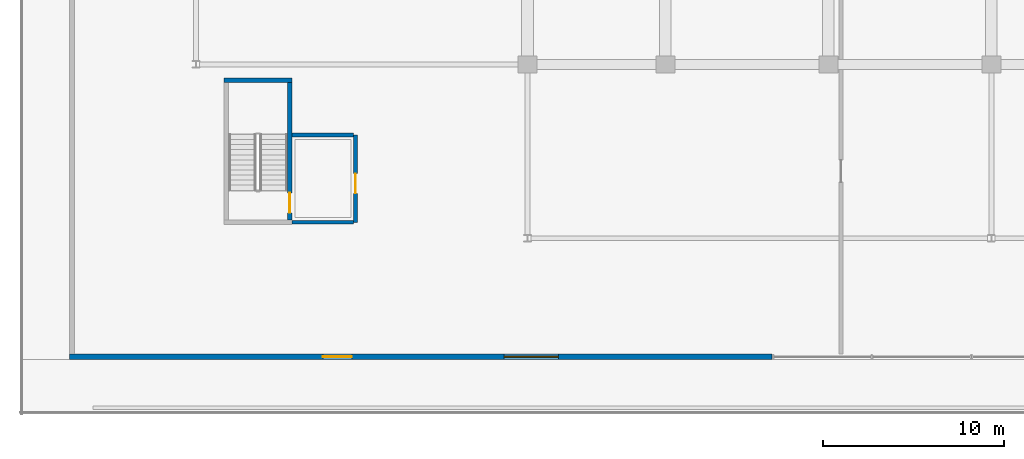
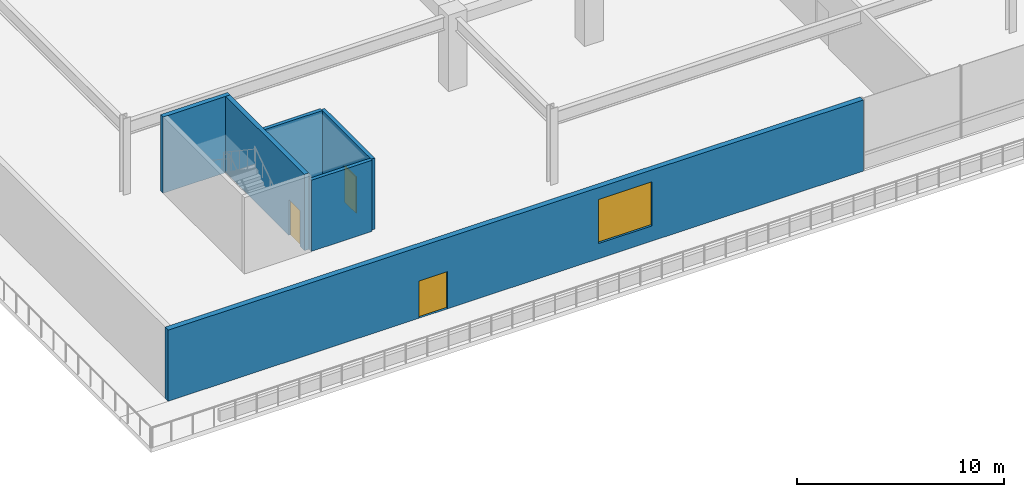
# One storey, part 18 of 43: 6 walls, 3 doors, 1 window, 4 openings.
"""IFC4 building model written with IfcOpenShell, lengths in metres."""

from ifc_helpers import new_model, si_unit, direction, frame, frame_2d, origin, place, context, subcontext, project, spatial, rectangle, extrude, material, layer, layer_set, type_object, element, fill, save


model = new_model("IFC4")

# Units and contexts
model_context = context("Model", 3, precision=1e-05, world=origin(), true_north=direction((0.0, 1.0)))
body_context = subcontext(model_context, "Body", "Model", "MODEL_VIEW")
ifc_project = project(units=[si_unit("LENGTHUNIT", "METRE"), si_unit("AREAUNIT", "SQUARE_METRE"), si_unit("VOLUMEUNIT", "CUBIC_METRE"), si_unit("PLANEANGLEUNIT", "RADIAN"), si_unit("MASSUNIT", "GRAM", prefix="KILO")], contexts=[model_context])

# Site, building, storey
site_placement = place(None, origin())
site = spatial("IfcSite", under=ifc_project, at=site_placement, CompositionType="ELEMENT")
building_placement = place(site_placement, origin())
building = spatial("IfcBuilding", under=site, at=building_placement, Name="Korimba Cascade Residences", CompositionType="ELEMENT")
storey_placement = place(building_placement, frame((0.0, 0.0, 10.0)))
storey = spatial("IfcBuildingStorey", under=building, at=storey_placement, Name="L02", CompositionType="ELEMENT", Elevation=10.0)

# Wall, openings, door, window
ifc_material_1 = material(Name="Precast concrete C40/50", Category="concrete")
ifc_layer_1 = layer(ifc_material_1, 0.300048828125)
ifc_layer_set_1 = layer_set([ifc_layer_1], Name="Precast concrete C40/50")
wall_type_1 = type_object("IfcWallType", Name="EW-STONE-300", PredefinedType="STANDARD", material=ifc_layer_set_1)
wall_1_placement = place(storey_placement, frame((49.199951171875, -20.35009765625, 0.0), z_axis=(0.0, 0.0, 1.0), x_axis=(1.0, 0.0, 0.0)))
wall_1 = element("IfcWall", 1, at=wall_1_placement, inside=storey, type_object=wall_type_1, Name="L02 South-West Podium Wall", PredefinedType="STANDARD", context=body_context, shape_type="SweptSolid", body=[
    extrude(rectangle(XDim=38.800048828125, YDim=0.300048828125, at=frame_2d((19.39990234375, 0.0))), origin(), (0.0, 0.0, 1.0), 4.199951171875),
])
opening_1_placement = place(wall_1_placement, frame((14.0, 0.0, 0.0)))
opening_1 = element("IfcOpeningElement", 2, at=opening_1_placement, cuts=wall_1, Name="Opening D-TR1", PredefinedType="OPENING", context=body_context, shape_type="SweptSolid", body=[
    extrude(rectangle(XDim=1.60009765625, YDim=2.199951171875, at=frame_2d((0.800048828125, 1.10009765625))), frame((0.0, 0.16015625, 0.0), z_axis=(0.0, -1.0, 0.0), x_axis=(1.0, 0.0, 0.0)), (0.0, 0.0, 1.0), 0.320068359375),
])
opening_2_placement = place(wall_1_placement, frame((24.0, 0.0, 0.89990234375)))
opening_2 = element("IfcOpeningElement", 3, at=opening_2_placement, cuts=wall_1, Name="Opening W-04", PredefinedType="OPENING", context=body_context, shape_type="SweptSolid", body=[
    extrude(rectangle(XDim=3.0, YDim=2.60009765625, at=frame_2d((1.5, 1.300048828125))), frame((0.0, 0.16015625, 0.0), z_axis=(0.0, -1.0, 0.0), x_axis=(1.0, 0.0, 0.0)), (0.0, 0.0, 1.0), 0.320068359375),
])
ifc_material_2 = material(Name="Glazed Aluminium Terrace Door", Category="aluminium")
door_type_1 = type_object("IfcDoorType", Name="DR-EXT-TER", OperationType="NOTDEFINED", PredefinedType="DOOR", material=ifc_material_2)
door_1_placement = place(opening_1_placement, frame((1.60009765625, 0.0, 0.0), z_axis=(0.0, 0.0, 1.0), x_axis=(-1.0, 0.0, 0.0)))
door_1 = element("IfcDoor", 4, at=door_1_placement, inside=storey, type_object=door_type_1, Name="L02 South Terrace Access Door", OperationType="DOUBLE_DOOR_SINGLE_SWING", OverallHeight=2.199951171875, OverallWidth=1.60009765625, PredefinedType="DOOR", context=body_context, shape_type="SweptSolid", body=[
    extrude(rectangle(XDim=1.60009765625, YDim=2.199951171875, at=frame_2d((0.800048828125, 1.10009765625))), frame((0.0, 0.02490234375, 0.0), z_axis=(0.0, -1.0, 0.0), x_axis=(1.0, 0.0, 0.0)), (0.0, 0.0, 1.0), 0.050048828125),
])
fill(opening_1, door_1)
ifc_material_3 = material(Name="Double-Glazed Aluminium Window", Category="aluminium")
window_type = type_object("IfcWindowType", Name="WIN-POD-3000", PartitioningType="TRIPLE_PANEL_VERTICAL", PredefinedType="WINDOW", material=ifc_material_3)
window_placement = place(opening_2_placement, origin())
window = element("IfcWindow", 5, at=window_placement, inside=storey, type_object=window_type, Name="L02 South Podium Window", OverallHeight=2.60009765625, OverallWidth=3.0, PartitioningType="TRIPLE_PANEL_VERTICAL", PredefinedType="WINDOW", context=body_context, shape_type="SweptSolid", body=[
    extrude(rectangle(XDim=3.0, YDim=2.60009765625, at=frame_2d((1.5, 1.300048828125))), frame((0.0, 0.030029296875, 0.0), z_axis=(0.0, -1.0, 0.0), x_axis=(1.0, 0.0, 0.0)), (0.0, 0.0, 1.0), 0.06005859375),
])
fill(opening_2, window)

# Wall, opening, door
ifc_material_4 = material(Name="Concrete C40/50", Category="concrete")
ifc_layer_2 = layer(ifc_material_4, 0.199951171875)
ifc_layer_set_2 = layer_set([ifc_layer_2], Name="Concrete C40/50")
wall_type_2 = type_object("IfcWallType", Name="WAL-PART-200", PredefinedType="PARTITIONING", material=ifc_layer_set_2)
wall_2_placement = place(storey_placement, frame((65.0, -12.925048828125, 0.0), z_axis=(0.0, 0.0, 1.0), x_axis=(0.0, 1.0, 0.0)))
wall_2 = element("IfcWall", 6, at=wall_2_placement, inside=storey, type_object=wall_type_2, Name="L02 Partition Wall CW-L02-PL3E", PredefinedType="PARTITIONING", context=body_context, shape_type="SweptSolid", body=[
    extrude(rectangle(XDim=4.824951171875, YDim=0.199951171875, at=frame_2d((2.41259765625, 0.0))), origin(), (0.0, 0.0, 1.0), 4.199951171875),
])
opening_3_placement = place(wall_2_placement, frame((1.60009765625, 0.0, 0.0)))
opening_3 = element("IfcOpeningElement", 7, at=opening_3_placement, cuts=wall_2, Name="Opening D-FD6", PredefinedType="OPENING", context=body_context, shape_type="SweptSolid", body=[
    extrude(rectangle(XDim=1.10009765625, YDim=2.14990234375, at=frame_2d((0.550048828125, 1.074951171875))), frame((0.0, 0.10986328125, 0.0), z_axis=(0.0, -1.0, 0.0), x_axis=(1.0, 0.0, 0.0)), (0.0, 0.0, 1.0), 0.219970703125),
])
ifc_material_5 = material(Name="Fire-Rated Timber Stair Lobby Door", Category="wood")
door_type_2 = type_object("IfcDoorType", Name="DR-FD90-1100", OperationType="NOTDEFINED", PredefinedType="DOOR", material=ifc_material_5)
door_2_placement = place(opening_3_placement, origin())
door_2 = element("IfcDoor", 8, at=door_2_placement, inside=storey, type_object=door_type_2, Name="L02 South-West Stair Vestibule Door", OperationType="SINGLE_SWING_LEFT", OverallHeight=2.14990234375, OverallWidth=1.10009765625, PredefinedType="DOOR", context=body_context, shape_type="SweptSolid", body=[
    extrude(rectangle(XDim=1.10009765625, YDim=2.14990234375, at=frame_2d((0.550048828125, 1.074951171875))), frame((0.0, 0.02490234375, 0.0), z_axis=(0.0, -1.0, 0.0), x_axis=(1.0, 0.0, 0.0)), (0.0, 0.0, 1.0), 0.050048828125),
])
fill(opening_3, door_2)

# Walls
for number, where, z_axis, x_axis, name in (
    (9, (61.5, -12.925048828125, 0.0), (0.0, 0.0, 1.0), (1.0, 0.0, 0.0), "L02 Partition Wall CW-L02-PL3S"),
    (10, (61.5, -8.10009765625, 0.0), (0.0, 0.0, 1.0), (1.0, 0.0, 0.0), "L02 Partition Wall CW-L02-PL3N"),
):
    element("IfcWall", number, at=place(storey_placement, frame(where, z_axis=z_axis, x_axis=x_axis)), inside=storey, type_object=wall_type_2, Name=name, PredefinedType="PARTITIONING", context=body_context, shape_type="SweptSolid", body=[
        extrude(rectangle(XDim=3.39990234375, YDim=0.199951171875, at=frame_2d((1.699951171875, 0.0))), origin(), (0.0, 0.0, 1.0), 4.199951171875),
    ])
ifc_material_6 = material(Name="Concrete C50/60", Category="concrete")
ifc_layer_3 = layer(ifc_material_6, 0.25)
ifc_layer_set_3 = layer_set([ifc_layer_3], Name="Concrete C50/60")
wall_type_3 = type_object("IfcWallType", Name="WAL-SHAFT-250", PredefinedType="SHEAR", material=ifc_layer_set_3)
wall_3_placement = place(storey_placement, frame((57.75, -5.074951171875, 0.0), z_axis=(0.0, 0.0, 1.0), x_axis=(1.0, 0.0, 0.0)))
element("IfcWall", 11, at=wall_3_placement, inside=storey, type_object=wall_type_3, Name="L02 Core Shear Wall CW-L02-STP3N", PredefinedType="SHEAR", context=body_context, shape_type="SweptSolid", body=[
    extrude(rectangle(XDim=3.739990234375, YDim=0.25, at=frame_2d((1.8701171875, 0.0))), origin(), (0.0, 0.0, 1.0), 4.5),
])

# Wall, opening, door
wall_4_placement = place(storey_placement, frame((61.364990234375, -12.800048828125, 0.0), z_axis=(0.0, 0.0, 1.0), x_axis=(0.0, 1.0, 0.0)))
wall_4 = element("IfcWall", 12, at=wall_4_placement, inside=storey, type_object=wall_type_3, Name="L02 Core Shear Wall CW-L02-STP3E", PredefinedType="SHEAR", context=body_context, shape_type="SweptSolid", body=[
    extrude(rectangle(XDim=7.60009765625, YDim=0.25, at=frame_2d((3.800048828125, 0.0))), origin(), (0.0, 0.0, 1.0), 4.5),
])
opening_4_placement = place(wall_4_placement, frame((0.39990234375, 0.0, 0.0)))
opening_4 = element("IfcOpeningElement", 13, at=opening_4_placement, cuts=wall_4, Name="Opening D-FD1", PredefinedType="OPENING", context=body_context, shape_type="SweptSolid", body=[
    extrude(rectangle(XDim=1.10009765625, YDim=2.10009765625, at=frame_2d((0.550048828125, 1.050048828125))), frame((0.0, 0.135009765625, 0.0), z_axis=(0.0, -1.0, 0.0), x_axis=(1.0, 0.0, 0.0)), (0.0, 0.0, 1.0), 0.27001953125),
])
ifc_material_7 = material(Name="Fire-Rated Steel Core Door", Category="steel")
door_type_3 = type_object("IfcDoorType", Name="DR-FD120-1100", OperationType="NOTDEFINED", PredefinedType="DOOR", material=ifc_material_7)
door_3_placement = place(opening_4_placement, origin())
door_3 = element("IfcDoor", 14, at=door_3_placement, inside=storey, type_object=door_type_3, Name="L02 Podium Stair ST-P3 Door", OperationType="SINGLE_SWING_RIGHT", OverallHeight=2.10009765625, OverallWidth=1.10009765625, PredefinedType="DOOR", context=body_context, shape_type="SweptSolid", body=[
    extrude(rectangle(XDim=1.10009765625, YDim=2.10009765625, at=frame_2d((0.550048828125, 1.050048828125))), frame((0.0, 0.02490234375, 0.0), z_axis=(0.0, -1.0, 0.0), x_axis=(1.0, 0.0, 0.0)), (0.0, 0.0, 1.0), 0.050048828125),
])
fill(opening_4, door_3)

save(model, "model.ifc")
